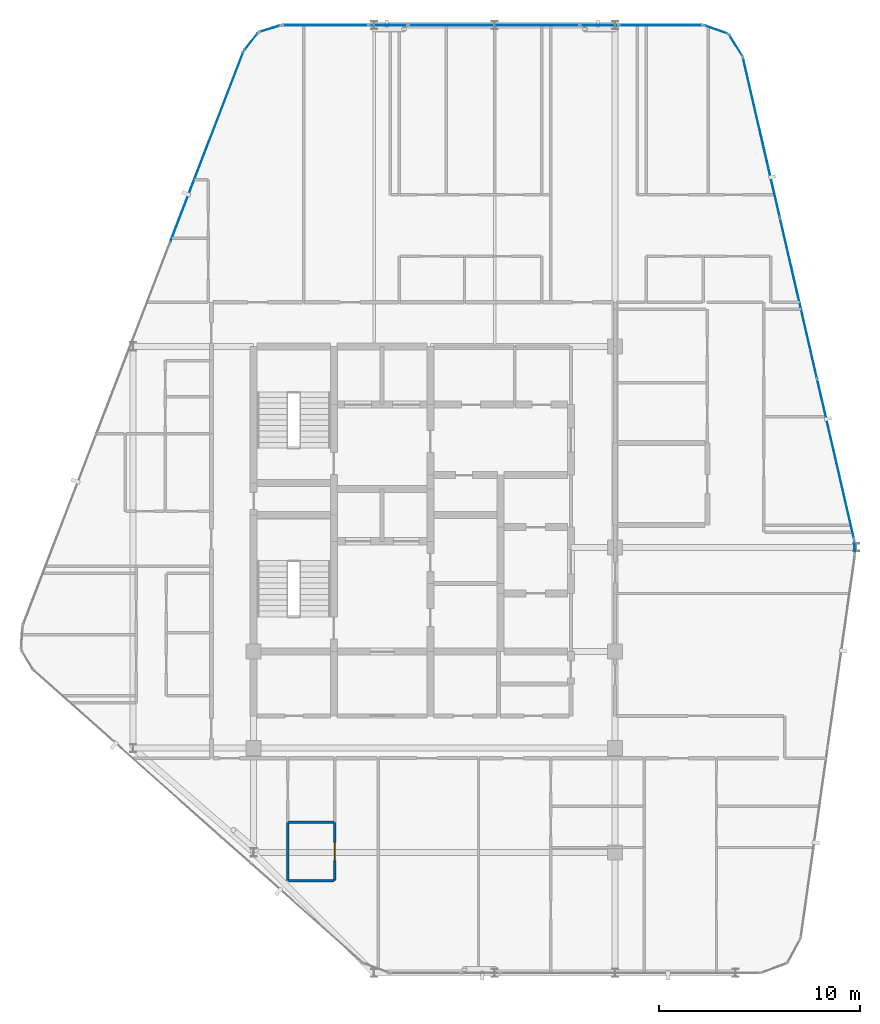
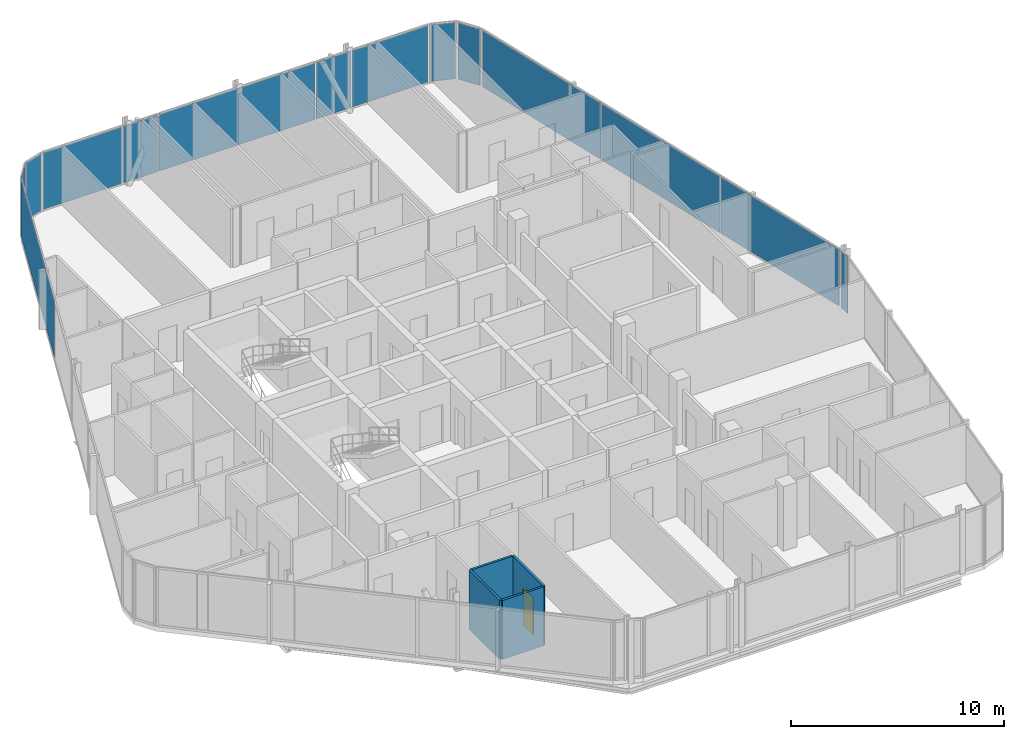
# One storey, part 21 of 28: 14 plates, 4 walls, 1 door, 1 opening, 12 elements without a shape of their own.
"""IFC4 building model written with IfcOpenShell, lengths in metres."""

from ifc_helpers import new_model, si_unit, direction, frame, frame_2d, origin, origin_2d, place, context, subcontext, project, spatial, rectangle, extrude, material, layer, layer_set, type_object, element, fill, aggregate, save


model = new_model("IFC4")

# Units and contexts
model_context = context("Model", 3, precision=1e-05, world=origin(), true_north=direction((0.0, 1.0)))
body_context = subcontext(model_context, "Body", "Model", "MODEL_VIEW")
ifc_project = project(units=[si_unit("LENGTHUNIT", "METRE"), si_unit("AREAUNIT", "SQUARE_METRE"), si_unit("VOLUMEUNIT", "CUBIC_METRE"), si_unit("PLANEANGLEUNIT", "RADIAN"), si_unit("MASSUNIT", "GRAM", prefix="KILO")], contexts=[model_context])

# Site, building, storey
site_placement = place(None, origin())
site = spatial("IfcSite", under=ifc_project, at=site_placement, CompositionType="ELEMENT")
building_placement = place(site_placement, origin())
building = spatial("IfcBuilding", under=site, at=building_placement, Name="Keshet Zoharim Tower", CompositionType="ELEMENT")
storey_placement = place(building_placement, frame((0.0, 0.0, 265.800048828125)))
storey = spatial("IfcBuildingStorey", under=building, at=storey_placement, Name="L66", CompositionType="ELEMENT", Elevation=265.800048828125)

# Curtain wall, plate
ifc_material_1 = material(Name="Aluminium 6063-T6", Category="aluminium")
ifc_layer_1 = layer(ifc_material_1, 0.260009765625)
ifc_layer_set_1 = layer_set([ifc_layer_1], Name="Aluminium 6063-T6")
curtain_wall_type = type_object("IfcCurtainWallType", Name="CW-SYS-06", PredefinedType="NOTDEFINED", material=ifc_layer_set_1)
curtain_wall_1_placement = place(storey_placement, origin())
curtain_wall_1 = element("IfcCurtainWall", 1, at=curtain_wall_1_placement, inside=storey, type_object=curtain_wall_type, Name="L66 Unitised Curtain Wall 03", PredefinedType="NOTDEFINED")
ifc_material_2 = material(Name="Insulated Low-E Clear Glass", Category="glass")
ifc_layer_2 = layer(ifc_material_2, 0.028076171875)
ifc_layer_set_2 = layer_set([ifc_layer_2], Name="Insulated Low-E Clear Glass")
plate_type_1 = type_object("IfcPlateType", Name="CWP-03", PredefinedType="CURTAIN_PANEL", material=ifc_layer_set_2)
plate_1_placement = place(storey_placement, frame((12.665771484375, 47.830810546875, 0.070068359375), z_axis=(0.0, 0.0, 1.0), x_axis=(0.358990003907, 0.933341404361, 0.0)))
plate_1 = element("IfcPlate", 2, at=plate_1_placement, type_object=plate_type_1, Name="CW-06 panel 3.1", PredefinedType="CURTAIN_PANEL", context=body_context, shape_type="SweptSolid", body=[
    extrude(rectangle(XDim=10.1181640625, YDim=0.028076171875, at=origin_2d()), origin(), (0.0, 0.0, 1.0), 3.25),
])
aggregate(curtain_wall_1, [plate_1])

curtain_wall_2_placement = place(storey_placement, origin())
curtain_wall_2 = element("IfcCurtainWall", 3, at=curtain_wall_2_placement, inside=storey, type_object=curtain_wall_type, Name="L66 Unitised Curtain Wall 04", PredefinedType="NOTDEFINED")
plate_2_placement = place(storey_placement, frame((14.8740234375, 53.08349609375, 0.070068359375), z_axis=(0.0, 0.0, 1.0), x_axis=(0.619124525989, 0.785292825205, 0.0)))
plate_2 = element("IfcPlate", 4, at=plate_2_placement, type_object=plate_type_1, Name="CW-06 panel 1.1", PredefinedType="CURTAIN_PANEL", context=body_context, shape_type="SweptSolid", body=[
    extrude(rectangle(XDim=1.045654296875, YDim=0.028076171875, at=origin_2d()), origin(), (0.0, 0.0, 1.0), 3.25),
])
aggregate(curtain_wall_2, [plate_2])

curtain_wall_3_placement = place(storey_placement, origin())
curtain_wall_3 = element("IfcCurtainWall", 5, at=curtain_wall_3_placement, inside=storey, type_object=curtain_wall_type, Name="L66 Unitised Curtain Wall 05", PredefinedType="NOTDEFINED")
plate_3_placement = place(storey_placement, frame((15.8076171875, 53.724609375, 0.070068359375), z_axis=(0.0, 0.0, 1.0), x_axis=(0.955212151288, 0.295921857984, 0.0)))
plate_3 = element("IfcPlate", 6, at=plate_3_placement, type_object=plate_type_1, Name="CW-06 panel 1.1", PredefinedType="CURTAIN_PANEL", context=body_context, shape_type="SweptSolid", body=[
    extrude(rectangle(XDim=1.046142578125, YDim=0.028076171875, at=origin_2d()), origin(), (0.0, 0.0, 1.0), 3.25),
])
aggregate(curtain_wall_3, [plate_3])

curtain_wall_4_placement = place(storey_placement, origin())
curtain_wall_4 = element("IfcCurtainWall", 7, at=curtain_wall_4_placement, inside=storey, type_object=curtain_wall_type, Name="L66 Unitised Curtain Wall 06", PredefinedType="NOTDEFINED")
plate_4_placement = place(storey_placement, frame((18.57470703125, 53.89990234375, 0.070068359375), z_axis=(0.0, 0.0, 1.0), x_axis=(1.0, 0.0, 0.0)))
plate_4 = element("IfcPlate", 8, at=plate_4_placement, type_object=plate_type_1, Name="CW-06 panel 1.1", PredefinedType="CURTAIN_PANEL", context=body_context, shape_type="SweptSolid", body=[
    extrude(rectangle(XDim=4.26123046875, YDim=0.028076171875, at=origin_2d()), origin(), (0.0, 0.0, 1.0), 3.25),
])
aggregate(curtain_wall_4, [plate_4])

curtain_wall_5_placement = place(storey_placement, origin())
curtain_wall_5 = element("IfcCurtainWall", 9, at=curtain_wall_5_placement, inside=storey, type_object=curtain_wall_type, Name="L66 Unitised Curtain Wall 06 Part 3", PredefinedType="NOTDEFINED")
plate_5_placement = place(storey_placement, frame((26.965087890625, 53.89990234375, 0.070068359375), z_axis=(0.0, 0.0, 1.0), x_axis=(1.0, 0.0, 0.0)))
plate_5 = element("IfcPlate", 10, at=plate_5_placement, type_object=plate_type_1, Name="CW-06 panel 1.1", PredefinedType="CURTAIN_PANEL", context=body_context, shape_type="SweptSolid", body=[
    extrude(rectangle(XDim=8.48046875, YDim=0.028076171875, at=origin_2d()), origin(), (0.0, 0.0, 1.0), 3.25),
])
aggregate(curtain_wall_5, [plate_5])

curtain_wall_6_placement = place(storey_placement, origin())
curtain_wall_6 = element("IfcCurtainWall", 11, at=curtain_wall_6_placement, inside=storey, type_object=curtain_wall_type, Name="L66 Unitised Curtain Wall 06 Part 5", PredefinedType="NOTDEFINED")
plate_6_placement = place(storey_placement, frame((35.281982421875, 53.89990234375, 0.070068359375), z_axis=(0.0, 0.0, 1.0), x_axis=(1.0, 0.0, 0.0)))
plate_6 = element("IfcPlate", 12, at=plate_6_placement, type_object=plate_type_1, Name="CW-06 panel 1.1", PredefinedType="CURTAIN_PANEL", context=body_context, shape_type="SweptSolid", body=[
    extrude(rectangle(XDim=4.1142578125, YDim=0.028076171875, at=origin_2d()), origin(), (0.0, 0.0, 1.0), 3.25),
])
aggregate(curtain_wall_6, [plate_6])

curtain_wall_7_placement = place(storey_placement, origin())
curtain_wall_7 = element("IfcCurtainWall", 13, at=curtain_wall_7_placement, inside=storey, type_object=curtain_wall_type, Name="L66 Unitised Curtain Wall 07", PredefinedType="NOTDEFINED")
plate_7_placement = place(storey_placement, frame((38.031494140625, 53.6826171875, 0.070068359375), z_axis=(0.0, 0.0, 1.0), x_axis=(0.944035542119, -0.329843743636, 0.0)))
plate_7 = element("IfcPlate", 14, at=plate_7_placement, type_object=plate_type_1, Name="CW-06 panel 1.1", PredefinedType="CURTAIN_PANEL", context=body_context, shape_type="SweptSolid", body=[
    extrude(rectangle(XDim=1.1787109375, YDim=0.028076171875, at=origin_2d()), origin(), (0.0, 0.0, 1.0), 3.25),
])
aggregate(curtain_wall_7, [plate_7])

curtain_wall_8_placement = place(storey_placement, origin())
curtain_wall_8 = element("IfcCurtainWall", 15, at=curtain_wall_8_placement, inside=storey, type_object=curtain_wall_type, Name="L66 Unitised Curtain Wall 08", PredefinedType="NOTDEFINED")
plate_8_placement = place(storey_placement, frame((39.006103515625, 52.907470703125, 0.070068359375), z_axis=(0.0, 0.0, 1.0), x_axis=(0.533878858502, -0.845560976183, 0.0)))
plate_8 = element("IfcPlate", 16, at=plate_8_placement, type_object=plate_type_1, Name="CW-06 panel 1.1", PredefinedType="CURTAIN_PANEL", context=body_context, shape_type="SweptSolid", body=[
    extrude(rectangle(XDim=1.1787109375, YDim=0.028076171875, at=origin_2d()), origin(), (0.0, 0.0, 1.0), 3.25),
])
aggregate(curtain_wall_8, [plate_8])

# Curtain wall, plates
curtain_wall_9_placement = place(storey_placement, origin())
curtain_wall_9 = element("IfcCurtainWall", 17, at=curtain_wall_9_placement, inside=storey, type_object=curtain_wall_type, Name="L66 Unitised Curtain Wall 09", PredefinedType="NOTDEFINED")
plate_9_placement = place(storey_placement, frame((40.288330078125, 48.318359375, 0.070068359375), z_axis=(0.0, 0.0, 1.0), x_axis=(0.224829963294, -0.974398012932, 0.0)))
plate_9 = element("IfcPlate", 18, at=plate_9_placement, type_object=plate_type_1, Name="CW-06 panel 1.1", PredefinedType="CURTAIN_PANEL", context=body_context, shape_type="SweptSolid", body=[
    extrude(rectangle(XDim=8.13525390625, YDim=0.028076171875, at=origin_2d()), origin(), (0.0, 0.0, 1.0), 3.25),
])
plate_10_placement = place(storey_placement, frame((42.136962890625, 40.305908203125, 0.070068359375), z_axis=(0.0, 0.0, 1.0), x_axis=(0.224829963294, -0.974398012932, 0.0)))
plate_10 = element("IfcPlate", 19, at=plate_10_placement, type_object=plate_type_1, Name="CW-06 panel 2.1", PredefinedType="CURTAIN_PANEL", context=body_context, shape_type="SweptSolid", body=[
    extrude(rectangle(XDim=8.17041015625, YDim=0.028076171875, at=origin_2d()), origin(), (0.0, 0.0, 1.0), 3.25),
])
plate_11_placement = place(storey_placement, frame((43.98583984375, 32.293701171875, 0.070068359375), z_axis=(0.0, 0.0, 1.0), x_axis=(0.224829963294, -0.974398012932, 0.0)))
plate_11 = element("IfcPlate", 20, at=plate_11_placement, type_object=plate_type_1, Name="CW-06 panel 3.1", PredefinedType="CURTAIN_PANEL", context=body_context, shape_type="SweptSolid", body=[
    extrude(rectangle(XDim=8.13525390625, YDim=0.028076171875, at=origin_2d()), origin(), (0.0, 0.0, 1.0), 3.25),
])
aggregate(curtain_wall_9, [plate_9, plate_10, plate_11])

# Curtain wall, plate
curtain_wall_10_placement = place(storey_placement, origin())
curtain_wall_10 = element("IfcCurtainWall", 21, at=curtain_wall_10_placement, inside=storey, type_object=curtain_wall_type, Name="L66 Unitised Curtain Wall 10", PredefinedType="NOTDEFINED")
plate_12_placement = place(storey_placement, frame((44.931884765625, 27.89697265625, 0.070068359375), z_axis=(0.0, 0.0, 1.0), x_axis=(0.043793560626, -0.999040601801, 0.0)))
plate_12 = element("IfcPlate", 22, at=plate_12_placement, type_object=plate_type_1, Name="CW-06 panel 1.1", PredefinedType="CURTAIN_PANEL", context=body_context, shape_type="SweptSolid", body=[
    extrude(rectangle(XDim=0.5908203125, YDim=0.028076171875, at=origin_2d()), origin(), (0.0, 0.0, 1.0), 3.25),
])
aggregate(curtain_wall_10, [plate_12])

curtain_wall_11_placement = place(storey_placement, origin())
curtain_wall_11 = element("IfcCurtainWall", 23, at=curtain_wall_11_placement, inside=storey, type_object=curtain_wall_type, Name="L66 Unitised Curtain Wall 06 Part 2", PredefinedType="NOTDEFINED")
ifc_material_3 = material(Name="Insulated Aluminium Spandrel Panel", Category="aluminium")
ifc_layer_3 = layer(ifc_material_3, 0.028076171875)
ifc_layer_set_3 = layer_set([ifc_layer_3], Name="Insulated Aluminium Spandrel Panel")
plate_type_2 = type_object("IfcPlateType", Name="CWP-06", PredefinedType="CURTAIN_PANEL", material=ifc_layer_set_3)
plate_13_placement = place(storey_placement, frame((21.715087890625, 53.89990234375, 0.070068359375), z_axis=(0.0, 0.0, 1.0), x_axis=(1.0, 0.0, 0.0)))
plate_13 = element("IfcPlate", 24, at=plate_13_placement, type_object=plate_type_2, Name="CW-06 spandrel panel 1.1", PredefinedType="CURTAIN_PANEL", context=body_context, shape_type="SweptSolid", body=[
    extrude(rectangle(XDim=1.879638671875, YDim=0.028076171875, at=origin_2d()), origin(), (0.0, 0.0, 1.0), 3.25),
])
aggregate(curtain_wall_11, [plate_13])

curtain_wall_12_placement = place(storey_placement, origin())
curtain_wall_12 = element("IfcCurtainWall", 25, at=curtain_wall_12_placement, inside=storey, type_object=curtain_wall_type, Name="L66 Unitised Curtain Wall 06 Part 4", PredefinedType="NOTDEFINED")
plate_14_placement = place(storey_placement, frame((32.215087890625, 53.89990234375, 0.070068359375), z_axis=(0.0, 0.0, 1.0), x_axis=(1.0, 0.0, 0.0)))
plate_14 = element("IfcPlate", 26, at=plate_14_placement, type_object=plate_type_2, Name="CW-06 spandrel panel 1.1", PredefinedType="CURTAIN_PANEL", context=body_context, shape_type="SweptSolid", body=[
    extrude(rectangle(XDim=1.879638671875, YDim=0.028076171875, at=origin_2d()), origin(), (0.0, 0.0, 1.0), 3.25),
])
aggregate(curtain_wall_12, [plate_14])

# Wall
ifc_material_4 = material(Name="Gypsum Plasterboard", Category="gypsum")
ifc_layer_4 = layer(ifc_material_4, 0.1201171875)
ifc_layer_set_4 = layer_set([ifc_layer_4], Name="Gypsum Plasterboard")
wall_type = type_object("IfcWallType", Name="WL-WET-120", PredefinedType="PARTITIONING", material=ifc_layer_set_4)
wall_1_placement = place(storey_placement, frame((16.699951171875, 11.300048828125, 0.0), z_axis=(0.0, 0.0, 1.0), x_axis=(0.0, 1.0, 0.0)))
element("IfcWall", 27, at=wall_1_placement, inside=storey, type_object=wall_type, Name="L66 Interior Wall 025", PredefinedType="PARTITIONING", context=body_context, shape_type="SweptSolid", body=[
    extrude(rectangle(XDim=2.89990234375, YDim=0.1201171875, at=frame_2d((1.449951171875, 0.0))), origin(), (0.0, 0.0, 1.0), 3.389892578125),
])

# Wall, opening, door
wall_2_placement = place(storey_placement, frame((19.050048828125, 11.300048828125, 0.0), z_axis=(0.0, 0.0, 1.0), x_axis=(0.0, 1.0, 0.0)))
wall_2 = element("IfcWall", 28, at=wall_2_placement, inside=storey, type_object=wall_type, Name="L66 Interior Wall 033", PredefinedType="PARTITIONING", context=body_context, shape_type="SweptSolid", body=[
    extrude(rectangle(XDim=2.89990234375, YDim=0.1201171875, at=frame_2d((1.449951171875, 0.0))), origin(), (0.0, 0.0, 1.0), 3.389892578125),
])
opening_placement = place(wall_2_placement, frame((1.0, 0.0, 0.0)))
opening = element("IfcOpeningElement", 29, at=opening_placement, cuts=wall_2, Name="Opening D-WT90", PredefinedType="OPENING", context=body_context, shape_type="SweptSolid", body=[
    extrude(rectangle(XDim=0.89990234375, YDim=2.10009765625, at=frame_2d((0.449951171875, 1.050048828125))), frame((0.0, 0.070068359375, 0.0), z_axis=(0.0, -1.0, 0.0), x_axis=(1.0, 0.0, 0.0)), (0.0, 0.0, 1.0), 0.14013671875),
])
ifc_material_5 = material(Name="Hardwood Timber", Category="wood")
door_type = type_object("IfcDoorType", Name="DR-WET-090", OperationType="NOTDEFINED", PredefinedType="DOOR", material=ifc_material_5)
door_placement = place(opening_placement, origin())
door = element("IfcDoor", 30, at=door_placement, inside=storey, type_object=door_type, Name="Apartment 6601 Bathroom Door", OperationType="SINGLE_SWING_RIGHT", OverallHeight=2.10009765625, OverallWidth=0.89990234375, PredefinedType="DOOR", context=body_context, shape_type="SweptSolid", body=[
    extrude(rectangle(XDim=0.89990234375, YDim=2.10009765625, at=frame_2d((0.449951171875, 1.050048828125))), frame((0.0, 0.02490234375, 0.0), z_axis=(0.0, -1.0, 0.0), x_axis=(1.0, 0.0, 0.0)), (0.0, 0.0, 1.0), 0.050048828125),
])
fill(opening, door)

# Walls
for number, where, z_axis, x_axis, name in (
    (31, (16.7451171875, 11.300048828125, 0.0), (0.0, 0.0, 1.0), (1.0, 0.0, 0.0), "L66 Interior Wall 097"),
    (32, (16.7451171875, 14.199951171875, 0.0), (0.0, 0.0, 1.0), (1.0, 0.0, 0.0), "L66 Interior Wall 100"),
):
    element("IfcWall", number, at=place(storey_placement, frame(where, z_axis=z_axis, x_axis=x_axis)), inside=storey, type_object=wall_type, Name=name, PredefinedType="PARTITIONING", context=body_context, shape_type="SweptSolid", body=[
        extrude(rectangle(XDim=2.259765625, YDim=0.1201171875, at=frame_2d((1.1298828125, 0.0))), origin(), (0.0, 0.0, 1.0), 3.389892578125),
    ])

save(model, "model.ifc")
